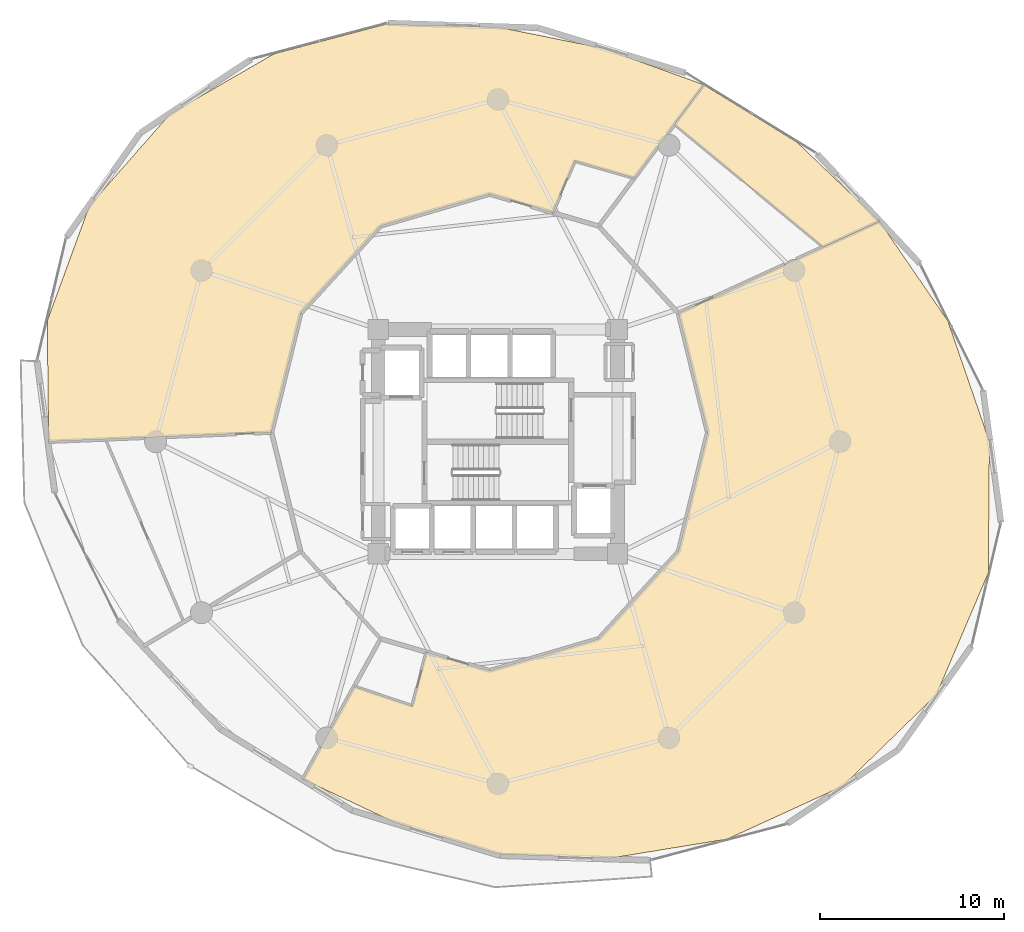
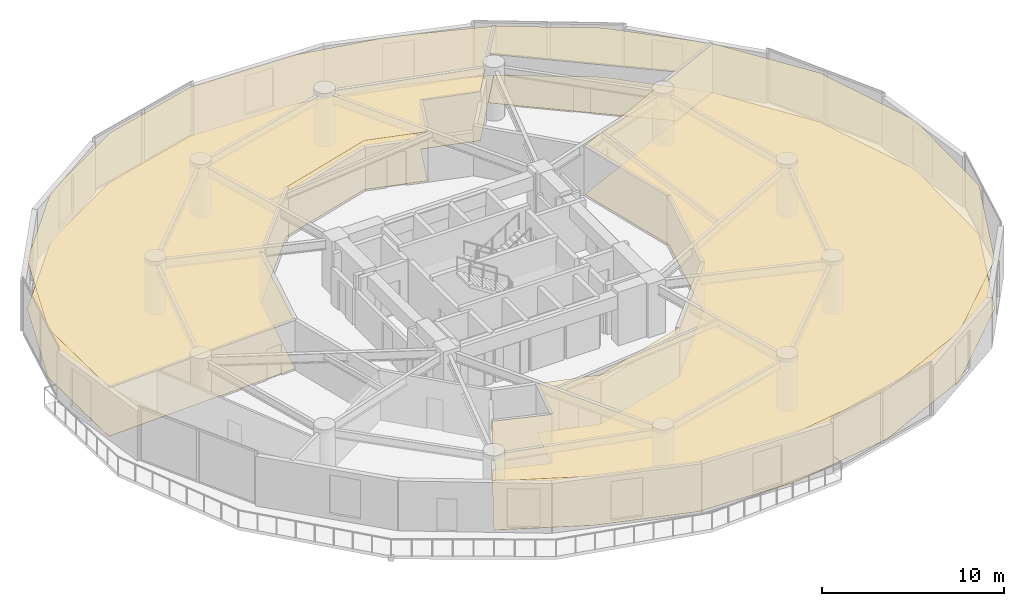
# One storey, part 24 of 24: 6 coverings.
"""IFC4 building model written with IfcOpenShell, lengths in metres."""

from ifc_helpers import new_model, si_unit, direction, frame, origin, place, context, subcontext, project, spatial, polyline, outline, extrude, material, layer, layer_set, type_object, element, save


model = new_model("IFC4")

# Units and contexts
model_context = context("Model", 3, precision=1e-05, world=origin(), true_north=direction((0.0, 1.0)))
body_context = subcontext(model_context, "Body", "Model", "MODEL_VIEW")
ifc_project = project(units=[si_unit("LENGTHUNIT", "METRE"), si_unit("AREAUNIT", "SQUARE_METRE"), si_unit("VOLUMEUNIT", "CUBIC_METRE"), si_unit("PLANEANGLEUNIT", "RADIAN"), si_unit("MASSUNIT", "GRAM", prefix="KILO")], contexts=[model_context])

# Site, building, storey
site_placement = place(None, origin())
site = spatial("IfcSite", under=ifc_project, at=site_placement, CompositionType="ELEMENT")
building_placement = place(site_placement, origin())
building = spatial("IfcBuilding", under=site, at=building_placement, Name="Solvirekh Grand Hotel", CompositionType="ELEMENT")
storey_placement = place(building_placement, frame((0.0, 0.0, 86.0)))
storey = spatial("IfcBuildingStorey", under=building, at=storey_placement, Name="L21", CompositionType="ELEMENT", Elevation=86.0)

# Coverings
ifc_material_1 = material(Name="Acoustic Mineral Ceiling Tile")
ifc_layer_1 = layer(ifc_material_1, 0.02490234375)
ifc_layer_set_1 = layer_set([ifc_layer_1], Name="Acoustic Mineral Ceiling Tile")
covering_type_1 = type_object("IfcCoveringType", Name="Cov_Ceiling_Acoustic", PredefinedType="CEILING", material=ifc_layer_set_1)
covering_1_placement = place(storey_placement, frame((0.0, 0.0, 3.2900390625)))
element("IfcCovering", 1, at=covering_1_placement, inside=storey, type_object=covering_type_1, Name="L21 Presidential Suite 2301 Living Room acoustic ceiling", PredefinedType="CEILING", context=body_context, shape_type="SweptSolid", body=[
    extrude(outline(polyline([(-4.654052734375, -14.373046875), (-7.80908203125, -13.31005859375), (-10.592041015625, -18.345947265625), (-5.552978515625, -20.72509765625), (0.0, -22.422119140625), (6.069091796875, -22.64794921875), (12.472900390625, -21.60400390625), (18.73291015625, -18.73291015625), (23.833984375, -13.760009765625), (26.655029296875, -7.14208984375), (26.718017578125, 0.0), (24.458984375, 6.553955078125), (20.740966796875, 11.97509765625), (9.81201171875, 6.97509765625), (11.39990234375, 0.5), (9.81201171875, -5.97509765625), (5.47509765625, -10.715087890625), (-0.449951171875, -12.449951171875), (-3.886962890625, -11.444091796875), (-4.654052734375, -14.373046875)])), origin(), (0.0, 0.0, 1.0), 0.01806640625),
])
covering_2_placement = place(storey_placement, frame((0.0, 0.0, 3.2900390625)))
element("IfcCovering", 2, at=covering_2_placement, inside=storey, type_object=covering_type_1, Name="L21 Presidential Suite 2301 Master Bedroom acoustic ceiling", PredefinedType="CEILING", context=body_context, shape_type="SweptSolid", body=[
    extrude(outline(polyline([(20.740966796875, 11.97509765625), (16.26611328125, 16.26611328125), (11.196044921875, 19.39208984375), (9.593994140625, 17.241943359375), (17.680908203125, 10.574951171875), (20.740966796875, 11.97509765625)])), origin(), (0.0, 0.0, 1.0), 0.01806640625),
])
covering_3_placement = place(storey_placement, frame((0.0, 0.0, 3.2900390625)))
element("IfcCovering", 3, at=covering_3_placement, inside=storey, type_object=covering_type_1, Name="L21 Presidential Suite 2302 Living Room acoustic ceiling", PredefinedType="CEILING", context=body_context, shape_type="SweptSolid", body=[
    extrude(outline(polyline([(4.178955078125, 15.25390625), (7.419921875, 14.324951171875), (11.196044921875, 19.39208984375), (5.72705078125, 21.3740234375), (0.0, 22.530029296875), (-6.0791015625, 22.68798828125), (-12.16796875, 21.074951171875), (-17.81298828125, 17.81298828125), (-22.200927734375, 12.818115234375), (-24.491943359375, 6.56298828125), (-24.41796875, 0.0), (-12.300048828125, 0.5), (-10.7119140625, 6.97509765625), (-6.375, 11.715087890625), (-0.449951171875, 13.449951171875), (2.986083984375, 12.444091796875), (4.178955078125, 15.25390625)])), origin(), (0.0, 0.0, 1.0), 0.01806640625),
])
ifc_material_2 = material(Name="Porcelain Stoneware Flooring", Category="masonry")
ifc_layer_2 = layer(ifc_material_2, 0.030029296875)
ifc_layer_set_2 = layer_set([ifc_layer_2], Name="Porcelain Stoneware Flooring")
covering_type_2 = type_object("IfcCoveringType", Name="Cov_Floor_Stone", PredefinedType="FLOORING", material=ifc_layer_set_2)
covering_4_placement = place(storey_placement, origin())
element("IfcCovering", 4, at=covering_4_placement, inside=storey, type_object=covering_type_2, Name="L21 Presidential Suite 2301 Living Room polished granite flooring", PredefinedType="FLOORING", context=body_context, shape_type="SweptSolid", body=[
    extrude(outline(polyline([(-4.654052734375, -14.373046875), (-7.80908203125, -13.31005859375), (-10.592041015625, -18.345947265625), (-5.552978515625, -20.72509765625), (0.0, -22.422119140625), (6.069091796875, -22.64794921875), (12.472900390625, -21.60400390625), (18.73291015625, -18.73291015625), (23.833984375, -13.760009765625), (26.655029296875, -7.14208984375), (26.718017578125, 0.0), (24.458984375, 6.553955078125), (20.740966796875, 11.97509765625), (9.81201171875, 6.97509765625), (11.39990234375, 0.5), (9.81201171875, -5.97509765625), (5.47509765625, -10.715087890625), (-0.449951171875, -12.449951171875), (-3.886962890625, -11.444091796875), (-4.654052734375, -14.373046875)])), origin(), (0.0, 0.0, 1.0), 0.02001953125),
])
covering_5_placement = place(storey_placement, origin())
element("IfcCovering", 5, at=covering_5_placement, inside=storey, type_object=covering_type_2, Name="L21 Presidential Suite 2301 Master Bedroom polished granite flooring", PredefinedType="FLOORING", context=body_context, shape_type="SweptSolid", body=[
    extrude(outline(polyline([(20.740966796875, 11.97509765625), (16.26611328125, 16.26611328125), (11.196044921875, 19.39208984375), (9.593994140625, 17.241943359375), (17.680908203125, 10.574951171875), (20.740966796875, 11.97509765625)])), origin(), (0.0, 0.0, 1.0), 0.02001953125),
])
covering_6_placement = place(storey_placement, origin())
element("IfcCovering", 6, at=covering_6_placement, inside=storey, type_object=covering_type_2, Name="L21 Presidential Suite 2302 Living Room polished granite flooring", PredefinedType="FLOORING", context=body_context, shape_type="SweptSolid", body=[
    extrude(outline(polyline([(4.178955078125, 15.25390625), (7.419921875, 14.324951171875), (11.196044921875, 19.39208984375), (5.72705078125, 21.3740234375), (0.0, 22.530029296875), (-6.0791015625, 22.68798828125), (-12.16796875, 21.074951171875), (-17.81298828125, 17.81298828125), (-22.200927734375, 12.818115234375), (-24.491943359375, 6.56298828125), (-24.41796875, 0.0), (-12.300048828125, 0.5), (-10.7119140625, 6.97509765625), (-6.375, 11.715087890625), (-0.449951171875, 13.449951171875), (2.986083984375, 12.444091796875), (4.178955078125, 15.25390625)])), origin(), (0.0, 0.0, 1.0), 0.02001953125),
])

save(model, "model.ifc")
